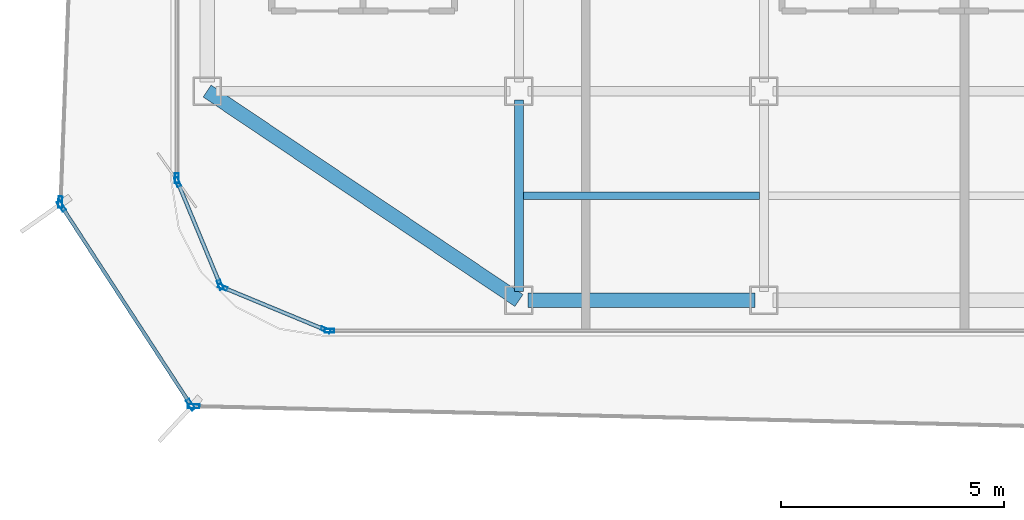
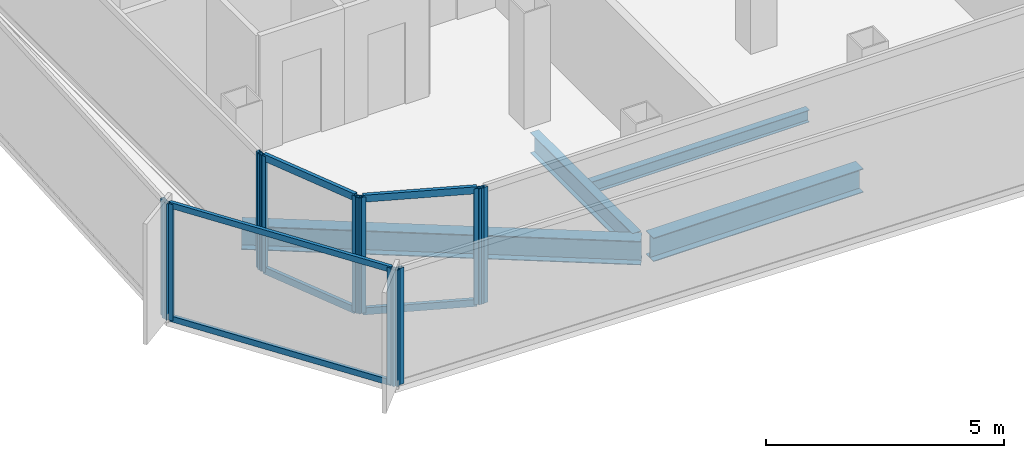
# One storey, part 2 of 16: 16 members, 4 beams, 7 elements without a shape of their own.
"""IFC4 building model written with IfcOpenShell, lengths in metres."""

from ifc_helpers import new_model, si_unit, direction, frame, origin, origin_2d, place, context, subcontext, project, spatial, hollow_rectangle, i_section, extrude, source, transform, mapped, material, layer, layer_set, material_profile, profile_set, type_object, element, aggregate, save


model = new_model("IFC4")

# Units and contexts
model_context = context("Model", 3, precision=1e-05, world=origin(), true_north=direction((0.0, 1.0)))
body_context = subcontext(model_context, "Body", "Model", "MODEL_VIEW")
ifc_project = project(units=[si_unit("LENGTHUNIT", "METRE"), si_unit("AREAUNIT", "SQUARE_METRE"), si_unit("VOLUMEUNIT", "CUBIC_METRE"), si_unit("PLANEANGLEUNIT", "RADIAN"), si_unit("MASSUNIT", "GRAM", prefix="KILO")], contexts=[model_context])

# Site, building, storey
site_placement = place(None, origin())
site = spatial("IfcSite", under=ifc_project, at=site_placement, CompositionType="ELEMENT")
building_placement = place(site_placement, origin())
building = spatial("IfcBuilding", under=site, at=building_placement, Name="Kolveth Station Tower", CompositionType="ELEMENT")
storey_placement = place(building_placement, frame((0.0, 0.0, 236.10009765625)))
storey = spatial("IfcBuildingStorey", under=building, at=storey_placement, Name="L67", CompositionType="ELEMENT", Elevation=236.10009765625)

# Beams
ifc_material_1 = material(Name="Steel S355", Category="steel")
ifc_material_profile_1 = material_profile(ifc_material_1, i_section(OverallWidth=0.323974609375, OverallDepth=0.611083984375, WebThickness=0.0126953125, FlangeThickness=0.01904296875, at=origin_2d()), Name="W610x155")
ifc_profile_set_1 = profile_set([ifc_material_profile_1], Name="Steel S355")
beam_type_1 = type_object("IfcBeamType", Name="Beam_SP2", PredefinedType="SPANDREL", material=ifc_profile_set_1)
shared_shape_1 = source(origin(), body_context, "Body", "SweptSolid", [
    extrude(i_section(OverallWidth=0.323974609375, OverallDepth=0.611083984375, WebThickness=0.0126953125, FlangeThickness=0.01904296875, at=origin_2d()), origin(), (0.0, 0.0, 1.0), 8.431396484375),
])
beam_1_placement = place(storey_placement, frame((6.0, 5.5, -0.525634765625), z_axis=(0.830223811004, -0.557430196206, 0.0), x_axis=(0.557430196206, 0.830223811004, 0.0)))
element("IfcBeam", 1, at=beam_1_placement, inside=storey, type_object=beam_type_1, Name="L67 Corner Edge Girder BM-L67-CNR-SW", PredefinedType="SPANDREL", context=body_context, shape_type="MappedRepresentation", body=[
    mapped(shared_shape_1, transform((0.0, 0.0, 0.0), x_axis=(1.0, 0.0, 0.0), y_axis=(0.0, 1.0, 0.0), z_axis=(0.0, 0.0, 1.0), scale=1.0)),
])
shared_shape_2 = source(origin(), body_context, "Body", "SweptSolid", [
    extrude(i_section(OverallWidth=0.323974609375, OverallDepth=0.611083984375, WebThickness=0.0126953125, FlangeThickness=0.01904296875, at=origin_2d()), origin(), (0.0, 0.0, 1.0), 5.10009765625),
])
beam_2_placement = place(storey_placement, frame((13.199951171875, 0.800048828125, -0.525634765625), z_axis=(1.0, 0.0, 0.0), x_axis=(0.0, 1.0, 0.0)))
element("IfcBeam", 2, at=beam_2_placement, inside=storey, type_object=beam_type_1, Name="L67 Perimeter Spandrel BM-L67-PS-1", PredefinedType="SPANDREL", context=body_context, shape_type="MappedRepresentation", body=[
    mapped(shared_shape_2, transform((0.0, 0.0, 0.0), x_axis=(1.0, 0.0, 0.0), y_axis=(0.0, 1.0, 0.0), z_axis=(0.0, 0.0, 1.0), scale=1.0)),
])
ifc_material_profile_2 = material_profile(ifc_material_1, i_section(OverallWidth=0.2099609375, OverallDepth=0.537109375, WebThickness=0.010986328125, FlangeThickness=0.017333984375, at=origin_2d()), Name="W530x101")
ifc_profile_set_2 = profile_set([ifc_material_profile_2], Name="Steel S355")
beam_type_2 = type_object("IfcBeamType", Name="Beam_B6", PredefinedType="BEAM", material=ifc_profile_set_2)
shared_shape_3 = source(origin(), body_context, "Body", "SweptSolid", [
    extrude(i_section(OverallWidth=0.2099609375, OverallDepth=0.537109375, WebThickness=0.010986328125, FlangeThickness=0.017333984375, at=origin_2d()), origin(), (0.0, 0.0, 1.0), 4.300048828125),
])
beam_3_placement = place(storey_placement, frame((13.0, 1.0, -0.488525390625), z_axis=(0.0, 1.0, 0.0), x_axis=(-1.0, 0.0, 0.0)))
element("IfcBeam", 3, at=beam_3_placement, inside=storey, type_object=beam_type_2, Name="L67 Primary Girder BM-L67-GX130-1", PredefinedType="BEAM", context=body_context, shape_type="MappedRepresentation", body=[
    mapped(shared_shape_3, transform((0.0, 0.0, 0.0), x_axis=(1.0, 0.0, 0.0), y_axis=(0.0, 1.0, 0.0), z_axis=(0.0, 0.0, 1.0), scale=1.0)),
])
ifc_material_profile_3 = material_profile(ifc_material_1, i_section(OverallWidth=0.1650390625, OverallDepth=0.31005859375, WebThickness=0.005859375, FlangeThickness=0.009765625, at=origin_2d()), Name="W310x39")
ifc_profile_set_3 = profile_set([ifc_material_profile_3], Name="Steel S355")
beam_type_3 = type_object("IfcBeamType", Name="Beam_J3", PredefinedType="JOIST", material=ifc_profile_set_3)
shared_shape_4 = source(origin(), body_context, "Body", "SweptSolid", [
    extrude(i_section(OverallWidth=0.1650390625, OverallDepth=0.31005859375, WebThickness=0.005859375, FlangeThickness=0.009765625, at=origin_2d()), origin(), (0.0, 0.0, 1.0), 5.2939453125),
])
beam_4_placement = place(storey_placement, frame((13.10302734375, 3.14990234375, -0.375), z_axis=(1.0, 0.0, 0.0), x_axis=(0.0, 1.0, 0.0)))
element("IfcBeam", 4, at=beam_4_placement, inside=storey, type_object=beam_type_3, Name="L67 Secondary Joist JST-L67-2-1", PredefinedType="JOIST", context=body_context, shape_type="MappedRepresentation", body=[
    mapped(shared_shape_4, transform((0.0, 0.0, 0.0), x_axis=(1.0, 0.0, 0.0), y_axis=(0.0, 1.0, 0.0), z_axis=(0.0, 0.0, 1.0), scale=1.0)),
])

# Curtain wall, member
ifc_material_2 = material(Name="Black anodized aluminium 6063-T6 and dark solar glass", Category="aluminium")
ifc_layer_1 = layer(ifc_material_2, 0.159912109375)
ifc_layer_set_1 = layer_set([ifc_layer_1], Name="Black anodized aluminium 6063-T6 and dark solar glass")
curtain_wall_type_1 = type_object("IfcCurtainWallType", Name="OUTER SKIN CW-OS", PredefinedType="NOTDEFINED", material=ifc_layer_set_1)
curtain_wall_1_placement = place(storey_placement, origin())
curtain_wall_1 = element("IfcCurtainWall", 5, at=curtain_wall_1_placement, inside=storey, type_object=curtain_wall_type_1, Name="L67 Outer Ventilated Skin Curtain Wall 6", PredefinedType="NOTDEFINED")
ifc_material_3 = material(Name="Black anodized aluminium 6063-T6", Category="aluminium")
ifc_material_profile_4 = material_profile(ifc_material_3, hollow_rectangle(XDim=0.090087890625, YDim=0.260009765625, WallThickness=0.0048828125, at=origin_2d()), Name="ALU-90x260x5")
ifc_profile_set_4 = profile_set([ifc_material_profile_4], Name="Black anodized aluminium 6063-T6")
member_type_1 = type_object("IfcMemberType", Name="FIN MULLION ML-OS", PredefinedType="MULLION", material=ifc_profile_set_4)
shared_shape_5 = source(origin(), body_context, "Body", "SweptSolid", [
    extrude(hollow_rectangle(XDim=0.090087890625, YDim=0.260009765625, WallThickness=0.0048828125, at=origin_2d()), origin(), (0.0, 0.0, 1.0), 2.989990234375),
])
member_1_placement = place(storey_placement, frame((2.704345703125, 3.0048828125, 0.0), z_axis=(0.0, 0.0, 1.0), x_axis=(0.999259492628, -0.038476829309, 0.0)))
member_1 = element("IfcMember", 6, at=member_1_placement, type_object=member_type_1, Name="CW-OS mullion 2", PredefinedType="MULLION", context=body_context, shape_type="MappedRepresentation", body=[
    mapped(shared_shape_5, transform((0.0, 0.0, 0.0), x_axis=(1.0, 0.0, 0.0), y_axis=(0.0, 1.0, 0.0), z_axis=(0.0, 0.0, 1.0), scale=1.0)),
])
aggregate(curtain_wall_1, [member_1])

# Curtain wall, members
curtain_wall_2_placement = place(storey_placement, origin())
curtain_wall_2 = element("IfcCurtainWall", 7, at=curtain_wall_2_placement, inside=storey, type_object=curtain_wall_type_1, Name="L67 Outer Ventilated Skin Curtain Wall 7", PredefinedType="NOTDEFINED")
member_2_placement = place(storey_placement, frame((2.72705078125, 2.92236328125, 0.0), z_axis=(0.0, 0.0, 1.0), x_axis=(0.838229499596, 0.54531761938, 0.0)))
member_2 = element("IfcMember", 8, at=member_2_placement, type_object=member_type_1, Name="CW-OS mullion 1", PredefinedType="MULLION", context=body_context, shape_type="MappedRepresentation", body=[
    mapped(shared_shape_5, transform((0.0, 0.0, 0.0), x_axis=(1.0, 0.0, 0.0), y_axis=(0.0, 1.0, 0.0), z_axis=(0.0, 0.0, 1.0), scale=1.0)),
])
member_3_placement = place(storey_placement, frame((5.629150390625, -1.538330078125, 0.0), z_axis=(0.0, 0.0, 1.0), x_axis=(0.838229499596, 0.54531761938, 0.0)))
member_3 = element("IfcMember", 9, at=member_3_placement, type_object=member_type_1, Name="CW-OS mullion 2", PredefinedType="MULLION", context=body_context, shape_type="MappedRepresentation", body=[
    mapped(shared_shape_5, transform((0.0, 0.0, 0.0), x_axis=(1.0, 0.0, 0.0), y_axis=(0.0, 1.0, 0.0), z_axis=(0.0, 0.0, 1.0), scale=1.0)),
])

# Curtain wall, member
curtain_wall_3_placement = place(storey_placement, origin())
curtain_wall_3 = element("IfcCurtainWall", 10, at=curtain_wall_3_placement, inside=storey, type_object=curtain_wall_type_1, Name="L67 Outer Ventilated Skin Curtain Wall 8", PredefinedType="NOTDEFINED")
member_4_placement = place(storey_placement, frame((5.698486328125, -1.5771484375, 0.0), z_axis=(0.0, 0.0, 1.0), x_axis=(0.023748509719, 0.999717964371, 0.0)))
member_4 = element("IfcMember", 11, at=member_4_placement, type_object=member_type_1, Name="CW-OS mullion 1", PredefinedType="MULLION", context=body_context, shape_type="MappedRepresentation", body=[
    mapped(shared_shape_5, transform((0.0, 0.0, 0.0), x_axis=(1.0, 0.0, 0.0), y_axis=(0.0, 1.0, 0.0), z_axis=(0.0, 0.0, 1.0), scale=1.0)),
])
aggregate(curtain_wall_3, [member_4])

ifc_material_4 = material(Name="Aluminium 6063-T6 and triple low-E dark glass", Category="aluminium")
ifc_layer_2 = layer(ifc_material_4, 0.199951171875)
ifc_layer_set_2 = layer_set([ifc_layer_2], Name="Aluminium 6063-T6 and triple low-E dark glass")
curtain_wall_type_2 = type_object("IfcCurtainWallType", Name="CurtainWall_CW-Z3", PredefinedType="NOTDEFINED", material=ifc_layer_set_2)
curtain_wall_4_placement = place(storey_placement, origin())
curtain_wall_4 = element("IfcCurtainWall", 12, at=curtain_wall_4_placement, inside=storey, type_object=curtain_wall_type_2, Name="L67 Inner Thermal Curtain Wall 9", PredefinedType="NOTDEFINED")
ifc_material_profile_5 = material_profile(ifc_material_3, hollow_rectangle(XDim=0.0849609375, YDim=0.215087890625, WallThickness=0.0048828125, at=origin_2d()), Name="ALU-85x215x5")
ifc_profile_set_5 = profile_set([ifc_material_profile_5], Name="Black anodized aluminium 6063-T6")
member_type_2 = type_object("IfcMemberType", Name="Mullion_ML3", PredefinedType="MULLION", material=ifc_profile_set_5)
shared_shape_6 = source(origin(), body_context, "Body", "SweptSolid", [
    extrude(hollow_rectangle(XDim=0.0849609375, YDim=0.215087890625, WallThickness=0.0048828125, at=origin_2d()), origin(), (0.0, 0.0, 1.0), 2.97998046875),
])
member_5_placement = place(storey_placement, frame((5.320068359375, 3.54248046875, 0.0), z_axis=(0.0, 0.0, 1.0), x_axis=(1.0, 0.0, 0.0)))
member_5 = element("IfcMember", 13, at=member_5_placement, type_object=member_type_2, Name="CW-Z3 mullion 2", PredefinedType="MULLION", context=body_context, shape_type="MappedRepresentation", body=[
    mapped(shared_shape_6, transform((0.0, 0.0, 0.0), x_axis=(1.0, 0.0, 0.0), y_axis=(0.0, 1.0, 0.0), z_axis=(0.0, 0.0, 1.0), scale=1.0)),
])
aggregate(curtain_wall_4, [member_5])

# Curtain wall, members
curtain_wall_5_placement = place(storey_placement, origin())
curtain_wall_5 = element("IfcCurtainWall", 14, at=curtain_wall_5_placement, inside=storey, type_object=curtain_wall_type_2, Name="L67 Inner Thermal Curtain Wall 10", PredefinedType="NOTDEFINED")
member_6_placement = place(storey_placement, frame((5.336181640625, 3.460693359375, 0.0), z_axis=(0.0, 0.0, 1.0), x_axis=(0.923875488975, 0.382693194181, 0.0)))
member_6 = element("IfcMember", 15, at=member_6_placement, type_object=member_type_2, Name="CW-Z3 mullion 1", PredefinedType="MULLION", context=body_context, shape_type="MappedRepresentation", body=[
    mapped(shared_shape_6, transform((0.0, 0.0, 0.0), x_axis=(1.0, 0.0, 0.0), y_axis=(0.0, 1.0, 0.0), z_axis=(0.0, 0.0, 1.0), scale=1.0)),
])
member_7_placement = place(storey_placement, frame((6.293701171875, 1.149169921875, 0.0), z_axis=(0.0, 0.0, 1.0), x_axis=(0.923875488975, 0.382693194181, 0.0)))
member_7 = element("IfcMember", 16, at=member_7_placement, type_object=member_type_2, Name="CW-Z3 mullion 2", PredefinedType="MULLION", context=body_context, shape_type="MappedRepresentation", body=[
    mapped(shared_shape_6, transform((0.0, 0.0, 0.0), x_axis=(1.0, 0.0, 0.0), y_axis=(0.0, 1.0, 0.0), z_axis=(0.0, 0.0, 1.0), scale=1.0)),
])

curtain_wall_6_placement = place(storey_placement, origin())
curtain_wall_6 = element("IfcCurtainWall", 17, at=curtain_wall_6_placement, inside=storey, type_object=curtain_wall_type_2, Name="L67 Inner Thermal Curtain Wall 11", PredefinedType="NOTDEFINED")
member_8_placement = place(storey_placement, frame((6.349365234375, 1.09375, 0.0), z_axis=(0.0, 0.0, 1.0), x_axis=(0.382693194181, 0.923875488975, 0.0)))
member_8 = element("IfcMember", 18, at=member_8_placement, type_object=member_type_2, Name="CW-Z3 mullion 1", PredefinedType="MULLION", context=body_context, shape_type="MappedRepresentation", body=[
    mapped(shared_shape_6, transform((0.0, 0.0, 0.0), x_axis=(1.0, 0.0, 0.0), y_axis=(0.0, 1.0, 0.0), z_axis=(0.0, 0.0, 1.0), scale=1.0)),
])
member_9_placement = place(storey_placement, frame((8.66064453125, 0.13623046875, 0.0), z_axis=(0.0, 0.0, 1.0), x_axis=(0.382693194181, 0.923875488975, 0.0)))
member_9 = element("IfcMember", 19, at=member_9_placement, type_object=member_type_2, Name="CW-Z3 mullion 2", PredefinedType="MULLION", context=body_context, shape_type="MappedRepresentation", body=[
    mapped(shared_shape_6, transform((0.0, 0.0, 0.0), x_axis=(1.0, 0.0, 0.0), y_axis=(0.0, 1.0, 0.0), z_axis=(0.0, 0.0, 1.0), scale=1.0)),
])

# Curtain wall, member
curtain_wall_7_placement = place(storey_placement, origin())
curtain_wall_7 = element("IfcCurtainWall", 20, at=curtain_wall_7_placement, inside=storey, type_object=curtain_wall_type_2, Name="L67 Inner Thermal Curtain Wall 12", PredefinedType="NOTDEFINED")
member_10_placement = place(storey_placement, frame((8.742431640625, 0.1201171875, 0.0), z_axis=(0.0, 0.0, 1.0), x_axis=(0.0, 1.0, 0.0)))
member_10 = element("IfcMember", 21, at=member_10_placement, type_object=member_type_2, Name="CW-Z3 mullion 1", PredefinedType="MULLION", context=body_context, shape_type="MappedRepresentation", body=[
    mapped(shared_shape_6, transform((0.0, 0.0, 0.0), x_axis=(1.0, 0.0, 0.0), y_axis=(0.0, 1.0, 0.0), z_axis=(0.0, 0.0, 1.0), scale=1.0)),
])
aggregate(curtain_wall_7, [member_10])

# Member
ifc_material_profile_6 = material_profile(ifc_material_3, hollow_rectangle(XDim=0.0849609375, YDim=0.179931640625, WallThickness=0.0048828125, at=origin_2d()), Name="ALU-85x180x5")
ifc_profile_set_6 = profile_set([ifc_material_profile_6], Name="Black anodized aluminium 6063-T6")
member_type_3 = type_object("IfcMemberType", Name="Transom_TR3", PredefinedType="USERDEFINED", material=ifc_profile_set_6)
shared_shape_7 = source(origin(), body_context, "Body", "SweptSolid", [
    extrude(hollow_rectangle(XDim=0.0849609375, YDim=0.179931640625, WallThickness=0.0048828125, at=origin_2d()), origin(), (0.0, 0.0, 1.0), 2.4169921875),
])
member_11_placement = place(storey_placement, frame((5.3525390625, 3.42138671875, 0.04248046875), z_axis=(0.382735401206, -0.9238580046, 0.0), x_axis=(0.9238580046, 0.382735401206, 0.0)))
member_11 = element("IfcMember", 22, at=member_11_placement, type_object=member_type_3, Name="CW-Z3 transom 1.1", ObjectType="TRANSOM", PredefinedType="USERDEFINED", context=body_context, shape_type="MappedRepresentation", body=[
    mapped(shared_shape_7, transform((0.0, 0.0, 0.0), x_axis=(1.0, 0.0, 0.0), y_axis=(0.0, 1.0, 0.0), z_axis=(0.0, 0.0, 1.0), scale=1.0)),
])

member_12_placement = place(storey_placement, frame((5.3525390625, 3.42138671875, 2.9375), z_axis=(0.382735401206, -0.9238580046, 0.0), x_axis=(0.9238580046, 0.382735401206, 0.0)))
member_12 = element("IfcMember", 23, at=member_12_placement, type_object=member_type_3, Name="CW-Z3 transom 1.2", ObjectType="TRANSOM", PredefinedType="USERDEFINED", context=body_context, shape_type="MappedRepresentation", body=[
    mapped(shared_shape_7, transform((0.0, 0.0, 0.0), x_axis=(1.0, 0.0, 0.0), y_axis=(0.0, 1.0, 0.0), z_axis=(0.0, 0.0, 1.0), scale=1.0)),
])

aggregate(curtain_wall_5, [member_6, member_7, member_11, member_12])

member_13_placement = place(storey_placement, frame((6.388427734375, 1.077392578125, 0.04248046875), z_axis=(0.923908507952, -0.382613471971, 0.0), x_axis=(0.382613471971, 0.923908507952, 0.0)))
member_13 = element("IfcMember", 24, at=member_13_placement, type_object=member_type_3, Name="CW-Z3 transom 1.1", ObjectType="TRANSOM", PredefinedType="USERDEFINED", context=body_context, shape_type="MappedRepresentation", body=[
    mapped(shared_shape_7, transform((0.0, 0.0, 0.0), x_axis=(1.0, 0.0, 0.0), y_axis=(0.0, 1.0, 0.0), z_axis=(0.0, 0.0, 1.0), scale=1.0)),
])

member_14_placement = place(storey_placement, frame((6.388427734375, 1.077392578125, 2.9375), z_axis=(0.923908507952, -0.382613471971, 0.0), x_axis=(0.382613471971, 0.923908507952, 0.0)))
member_14 = element("IfcMember", 25, at=member_14_placement, type_object=member_type_3, Name="CW-Z3 transom 1.2", ObjectType="TRANSOM", PredefinedType="USERDEFINED", context=body_context, shape_type="MappedRepresentation", body=[
    mapped(shared_shape_7, transform((0.0, 0.0, 0.0), x_axis=(1.0, 0.0, 0.0), y_axis=(0.0, 1.0, 0.0), z_axis=(0.0, 0.0, 1.0), scale=1.0)),
])

aggregate(curtain_wall_6, [member_8, member_9, member_13, member_14])

ifc_material_profile_7 = material_profile(ifc_material_3, hollow_rectangle(XDim=0.080078125, YDim=0.14990234375, WallThickness=0.0048828125, at=origin_2d()), Name="ALU-80x150x5")
ifc_profile_set_7 = profile_set([ifc_material_profile_7], Name="Black anodized aluminium 6063-T6")
member_type_4 = type_object("IfcMemberType", Name="Transom_TR-OS", PredefinedType="USERDEFINED", material=ifc_profile_set_7)
shared_shape_8 = source(origin(), body_context, "Body", "SweptSolid", [
    extrude(hollow_rectangle(XDim=0.080078125, YDim=0.14990234375, WallThickness=0.0048828125, at=origin_2d()), origin(), (0.0, 0.0, 1.0), 5.2314453125),
])
member_15_placement = place(storey_placement, frame((2.751708984375, 2.884521484375, 0.039794921875), z_axis=(0.545306534253, -0.838236711019, 0.0), x_axis=(0.838236711019, 0.545306534253, 0.0)))
member_15 = element("IfcMember", 26, at=member_15_placement, type_object=member_type_4, Name="CW-OS transom 1.1", ObjectType="TRANSOM", PredefinedType="USERDEFINED", context=body_context, shape_type="MappedRepresentation", body=[
    mapped(shared_shape_8, transform((0.0, 0.0, 0.0), x_axis=(1.0, 0.0, 0.0), y_axis=(0.0, 1.0, 0.0), z_axis=(0.0, 0.0, 1.0), scale=1.0)),
])

member_16_placement = place(storey_placement, frame((2.751708984375, 2.884521484375, 2.949951171875), z_axis=(0.545306534253, -0.838236711019, 0.0), x_axis=(0.838236711019, 0.545306534253, 0.0)))
member_16 = element("IfcMember", 27, at=member_16_placement, type_object=member_type_4, Name="CW-OS transom 1.2", ObjectType="TRANSOM", PredefinedType="USERDEFINED", context=body_context, shape_type="MappedRepresentation", body=[
    mapped(shared_shape_8, transform((0.0, 0.0, 0.0), x_axis=(1.0, 0.0, 0.0), y_axis=(0.0, 1.0, 0.0), z_axis=(0.0, 0.0, 1.0), scale=1.0)),
])

aggregate(curtain_wall_2, [member_2, member_3, member_15, member_16])

save(model, "model.ifc")
